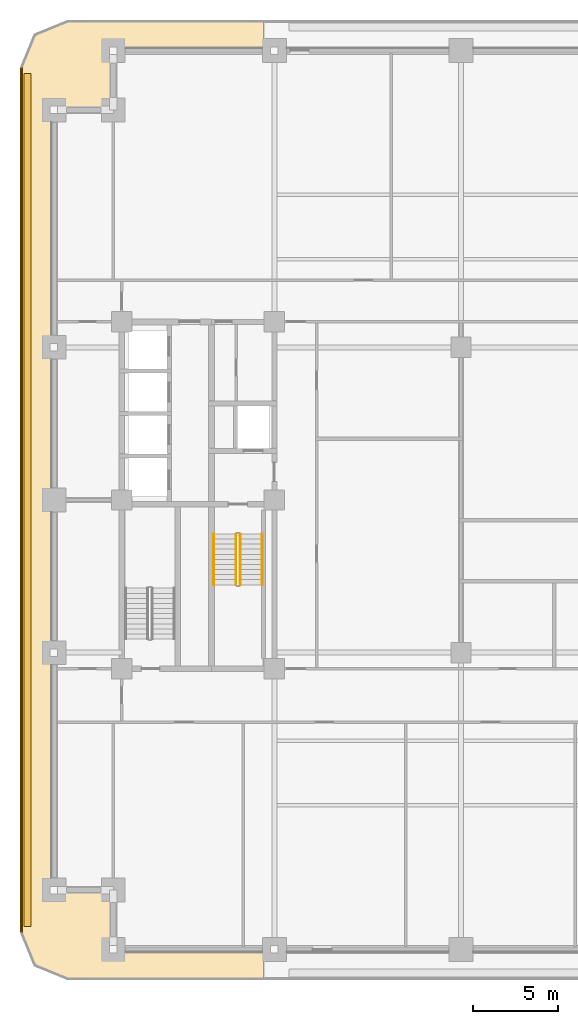
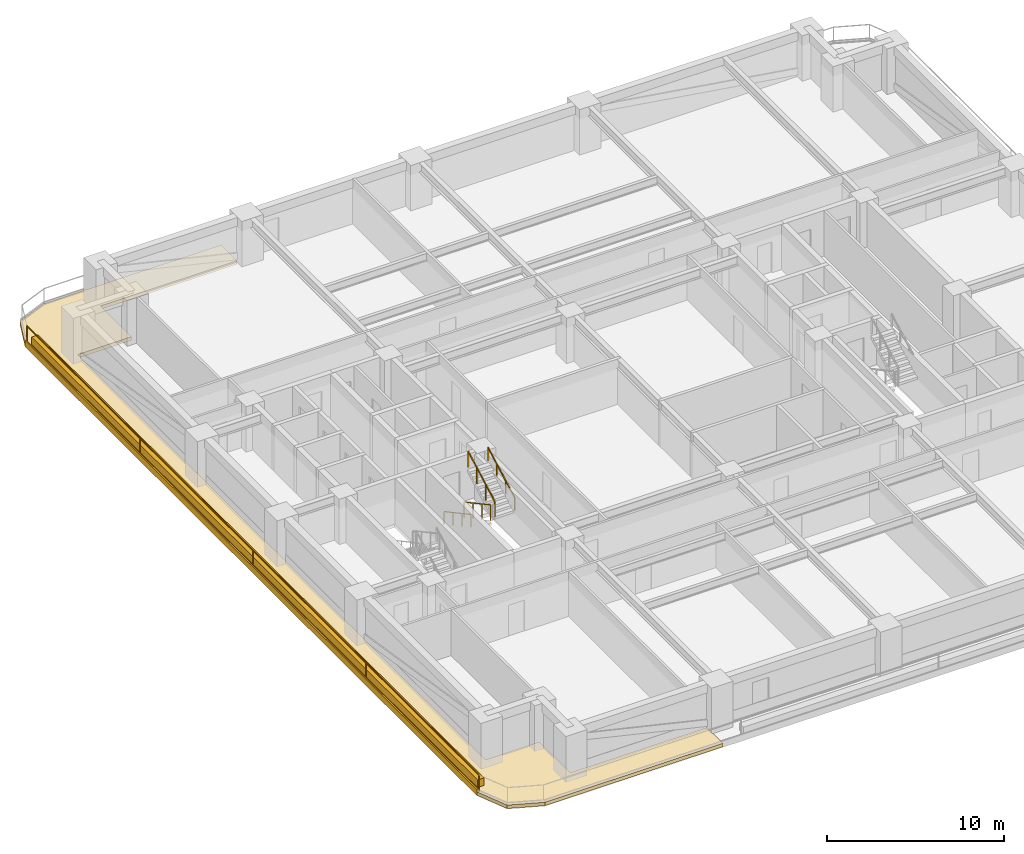
# One storey, part 8 of 12: 5 railings, 3 coverings.
"""IFC4 building model written with IfcOpenShell, lengths in metres."""

from ifc_helpers import new_model, si_unit, direction, frame, frame_2d, origin, origin_2d, place, context, subcontext, project, spatial, polyline, rectangle, outline, extrude, material, layer, layer_set, type_object, element, save


model = new_model("IFC4")

# Units and contexts
model_context = context("Model", 3, precision=1e-05, world=origin(), true_north=direction((0.0, 1.0)))
body_context = subcontext(model_context, "Body", "Model", "MODEL_VIEW")
ifc_project = project(units=[si_unit("LENGTHUNIT", "METRE"), si_unit("AREAUNIT", "SQUARE_METRE"), si_unit("VOLUMEUNIT", "CUBIC_METRE"), si_unit("PLANEANGLEUNIT", "RADIAN"), si_unit("MASSUNIT", "GRAM", prefix="KILO")], contexts=[model_context])

# Site, building, storey
site_placement = place(None, origin())
site = spatial("IfcSite", under=ifc_project, at=site_placement, CompositionType="ELEMENT")
building_placement = place(site_placement, origin())
building = spatial("IfcBuilding", under=site, at=building_placement, Name="Zulmaris Gate Convention Tower", CompositionType="ELEMENT")
storey_placement = place(building_placement, frame((0.0, 0.0, 48.6201171875)))
storey = spatial("IfcBuildingStorey", under=building, at=storey_placement, Name="L11", CompositionType="ELEMENT", Elevation=48.6201171875)

# Coverings
ifc_material_1 = material(Name="White Glazed Architectural Precast Concrete C40/50", Category="concrete")
ifc_layer_1 = layer(ifc_material_1, 0.239990234375, Name="White Glazed Architectural Precast Concrete C40/50")
ifc_layer_set_1 = layer_set([ifc_layer_1], Name="White Glazed Architectural Precast Concrete C40/50")
covering_type_1 = type_object("IfcCoveringType", Name="CLAD-TRAY-DECK", PredefinedType="CLADDING", material=ifc_layer_set_1)
covering_1_placement = place(storey_placement, frame((0.0, 0.0, -0.25)))
element("IfcCovering", 1, at=covering_1_placement, inside=storey, type_object=covering_type_1, Name="L11 West Rounded-Fascia Planter Tray Deck", PredefinedType="CLADDING", context=body_context, shape_type="SweptSolid", body=[
    extrude(outline(polyline([(-26.0, 25.5), (-25.179931640625, 27.47998046875), (-23.199951171875, 28.300048828125), (-11.60205078125, 28.300048828125), (-11.60205078125, 26.5), (-20.5, 26.5), (-20.5, 23.0), (-24.0, 23.0), (-24.0, -23.0), (-20.5, -23.0), (-20.5, -26.5), (-11.60205078125, -26.5), (-11.60205078125, -28.300048828125), (-23.199951171875, -28.300048828125), (-25.179931640625, -27.47998046875), (-26.0, -25.5), (-26.0, 25.5)])), origin(), (0.0, 0.0, 1.0), 0.239990234375),
])
ifc_layer_2 = layer(ifc_material_1, 0.080078125, Name="White Glazed Architectural Precast Concrete C40/50")
ifc_layer_set_2 = layer_set([ifc_layer_2], Name="White Glazed Architectural Precast Concrete C40/50")
covering_type_2 = type_object("IfcCoveringType", Name="CLAD-TRAY-FASCIA", PredefinedType="CLADDING", material=ifc_layer_set_2)
covering_2_placement = place(storey_placement, frame((-25.9599609375, 25.5, -0.2900390625), z_axis=(0.0, 0.0, 1.0), x_axis=(0.0, -1.0, 0.0)))
element("IfcCovering", 2, at=covering_2_placement, inside=storey, type_object=covering_type_2, Name="FSC-L11-TR-11", PredefinedType="CLADDING", context=body_context, shape_type="SweptSolid", body=[
    extrude(rectangle(XDim=51.0, YDim=0.080078125, at=frame_2d((25.5, 0.0))), origin(), (0.0, 0.0, 1.0), 0.43994140625),
])
ifc_material_2 = material(Name="Botanical Green Glazed Precast Concrete C40/50", Category="concrete")
ifc_layer_3 = layer(ifc_material_2, 0.419921875, Name="Botanical Green Glazed Precast Concrete C40/50")
ifc_layer_set_3 = layer_set([ifc_layer_3], Name="Botanical Green Glazed Precast Concrete C40/50")
covering_type_3 = type_object("IfcCoveringType", Name="PLANTER-BOX-200", PredefinedType="CLADDING", material=ifc_layer_set_3)
covering_3_placement = place(storey_placement, frame((0.0, 0.0, -0.010009765625)))
element("IfcCovering", 3, at=covering_3_placement, inside=storey, type_object=covering_type_3, Name="L11 W Full-Length Balcony Tree Planter Trough", PredefinedType="CLADDING", context=body_context, shape_type="SweptSolid", body=[
    extrude(outline(polyline([(-25.760009765625, -25.14990234375), (-25.340087890625, -25.14990234375), (-25.340087890625, 25.14990234375), (-25.760009765625, 25.14990234375), (-25.760009765625, -25.14990234375)])), origin(), (0.0, 0.0, 1.0), 0.52001953125),
])

# Railings
ifc_material_3 = material(Name="Laminated Glass and Stainless Steel", Category="steel")
railing_type_1 = type_object("IfcRailingType", Name="RL-BALC-1150", PredefinedType="BALUSTRADE", material=ifc_material_3)
railing_1_placement = place(storey_placement, frame((-25.8798828125, 25.5, -0.010009765625)))
element("IfcRailing", 4, at=railing_1_placement, inside=storey, type_object=railing_type_1, Name="RL-L11-BALC-W", PredefinedType="BALUSTRADE", context=body_context, shape_type="SweptSolid", body=[
    extrude(rectangle(XDim=0.048095703125, YDim=0.048095703125, at=origin_2d()), frame((0.0, 0.0, 1.1259765625), z_axis=(0.0, -1.0, 0.0), x_axis=(1.0, 0.0, 0.0)), (0.0, 0.0, 1.0), 51.0),
    extrude(rectangle(XDim=0.048095703125, YDim=0.048095703125, at=origin_2d()), frame((0.0, 0.0, 0.02392578125), z_axis=(0.0, -1.0, 0.0), x_axis=(1.0, 0.0, 0.0)), (0.0, 0.0, 1.0), 51.0),
    extrude(rectangle(XDim=0.0419921875, YDim=0.0419921875, at=origin_2d()), origin(), (0.0, 0.0, 1.0), 1.101806640625),
    extrude(rectangle(XDim=0.0419921875, YDim=0.0419921875, at=origin_2d()), frame((0.0, -12.75, 0.0)), (0.0, 0.0, 1.0), 1.101806640625),
    extrude(rectangle(XDim=0.0419921875, YDim=0.0419921875, at=origin_2d()), frame((0.0, -25.5, 0.0)), (0.0, 0.0, 1.0), 1.101806640625),
    extrude(rectangle(XDim=0.0419921875, YDim=0.0419921875, at=origin_2d()), frame((0.0, -38.25, 0.0)), (0.0, 0.0, 1.0), 1.101806640625),
    extrude(rectangle(XDim=0.0419921875, YDim=0.0419921875, at=origin_2d()), frame((0.0, -51.0, 0.0)), (0.0, 0.0, 1.0), 1.101806640625),
])
ifc_material_4 = material(Name="Painted Galvanised Steel", Category="steel")
railing_type_2 = type_object("IfcRailingType", Name="RL-STG-1150", PredefinedType="GUARDRAIL", material=ifc_material_4)
railing_2_placement = place(storey_placement, frame((-13.27001953125, -2.0, 0.162353515625)))
element("IfcRailing", 5, at=railing_2_placement, inside=storey, type_object=railing_type_2, Name="L11 ST-1 stair guard 1", PredefinedType="GUARDRAIL", context=body_context, shape_type="SweptSolid", body=[
    extrude(rectangle(XDim=0.048095703125, YDim=0.048095703125, at=origin_2d()), frame((0.0, 0.0, 1.076171875), z_axis=(0.0, -0.879591569277, 0.475729619907), x_axis=(1.0, 0.0, 0.0)), (0.0, 0.0, 1.0), 3.41064453125),
    extrude(rectangle(XDim=0.0419921875, YDim=0.0419921875, at=origin_2d()), origin(), (0.0, 0.0, 1.0), 1.052001953125),
    extrude(rectangle(XDim=0.0419921875, YDim=0.0419921875, at=origin_2d()), frame((0.0, -1.0, 0.540771484375)), (0.0, 0.0, 1.0), 1.052001953125),
    extrude(rectangle(XDim=0.0419921875, YDim=0.0419921875, at=origin_2d()), frame((0.0, -2.0, 1.081787109375)), (0.0, 0.0, 1.0), 1.052001953125),
    extrude(rectangle(XDim=0.0419921875, YDim=0.0419921875, at=origin_2d()), frame((0.0, -3.0, 1.62255859375)), (0.0, 0.0, 1.0), 1.052001953125),
])
railing_3_placement = place(storey_placement, frame((-13.010009765625, -5.0, 1.947265625)))
element("IfcRailing", 6, at=railing_3_placement, inside=storey, type_object=railing_type_2, Name="L11 ST-1 stair guard 3", PredefinedType="GUARDRAIL", context=body_context, shape_type="SweptSolid", body=[
    extrude(rectangle(XDim=0.048095703125, YDim=0.048095703125, at=origin_2d()), frame((0.0, 0.0, 1.076171875), z_axis=(0.0, 0.879591569277, 0.475729619907), x_axis=(-1.0, 0.0, 0.0)), (0.0, 0.0, 1.0), 3.41064453125),
    extrude(rectangle(XDim=0.0419921875, YDim=0.0419921875, at=origin_2d()), origin(), (0.0, 0.0, 1.0), 1.052001953125),
    extrude(rectangle(XDim=0.0419921875, YDim=0.0419921875, at=origin_2d()), frame((0.0, 1.0, 0.540771484375)), (0.0, 0.0, 1.0), 1.052001953125),
    extrude(rectangle(XDim=0.0419921875, YDim=0.0419921875, at=origin_2d()), frame((0.0, 2.0, 1.081787109375)), (0.0, 0.0, 1.0), 1.052001953125),
    extrude(rectangle(XDim=0.0419921875, YDim=0.0419921875, at=origin_2d()), frame((0.0, 3.0, 1.62255859375)), (0.0, 0.0, 1.0), 1.052001953125),
])
ifc_material_5 = material(Name="Brushed Stainless Steel", Category="steel")
railing_type_3 = type_object("IfcRailingType", Name="RL-STH-900", PredefinedType="HANDRAIL", material=ifc_material_5)
railing_4_placement = place(storey_placement, frame((-14.570068359375, -2.0, 0.162353515625)))
element("IfcRailing", 7, at=railing_4_placement, inside=storey, type_object=railing_type_3, Name="L11 ST-1 stair handrail 1", PredefinedType="HANDRAIL", context=body_context, shape_type="SweptSolid", body=[
    extrude(rectangle(XDim=0.048095703125, YDim=0.048095703125, at=origin_2d()), frame((0.0, 0.0, 0.8759765625), z_axis=(0.0, -0.879591569277, 0.475729619907), x_axis=(1.0, 0.0, 0.0)), (0.0, 0.0, 1.0), 3.41064453125),
    extrude(rectangle(XDim=0.0419921875, YDim=0.0419921875, at=origin_2d()), origin(), (0.0, 0.0, 1.0), 0.851806640625),
    extrude(rectangle(XDim=0.0419921875, YDim=0.0419921875, at=origin_2d()), frame((0.0, -1.0, 0.540771484375)), (0.0, 0.0, 1.0), 0.851806640625),
    extrude(rectangle(XDim=0.0419921875, YDim=0.0419921875, at=origin_2d()), frame((0.0, -2.0, 1.081787109375)), (0.0, 0.0, 1.0), 0.851806640625),
    extrude(rectangle(XDim=0.0419921875, YDim=0.0419921875, at=origin_2d()), frame((0.0, -3.0, 1.62255859375)), (0.0, 0.0, 1.0), 0.851806640625),
])
railing_5_placement = place(storey_placement, frame((-11.7099609375, -5.0, 1.947265625)))
element("IfcRailing", 8, at=railing_5_placement, inside=storey, type_object=railing_type_3, Name="L11 ST-1 stair handrail 2", PredefinedType="HANDRAIL", context=body_context, shape_type="SweptSolid", body=[
    extrude(rectangle(XDim=0.048095703125, YDim=0.048095703125, at=origin_2d()), frame((0.0, 0.0, 0.8759765625), z_axis=(0.0, 0.879591569277, 0.475729619907), x_axis=(-1.0, 0.0, 0.0)), (0.0, 0.0, 1.0), 3.41064453125),
    extrude(rectangle(XDim=0.0419921875, YDim=0.0419921875, at=origin_2d()), origin(), (0.0, 0.0, 1.0), 0.851806640625),
    extrude(rectangle(XDim=0.0419921875, YDim=0.0419921875, at=origin_2d()), frame((0.0, 1.0, 0.540771484375)), (0.0, 0.0, 1.0), 0.851806640625),
    extrude(rectangle(XDim=0.0419921875, YDim=0.0419921875, at=origin_2d()), frame((0.0, 2.0, 1.081787109375)), (0.0, 0.0, 1.0), 0.851806640625),
    extrude(rectangle(XDim=0.0419921875, YDim=0.0419921875, at=origin_2d()), frame((0.0, 3.0, 1.62255859375)), (0.0, 0.0, 1.0), 0.851806640625),
])

save(model, "model.ifc")
